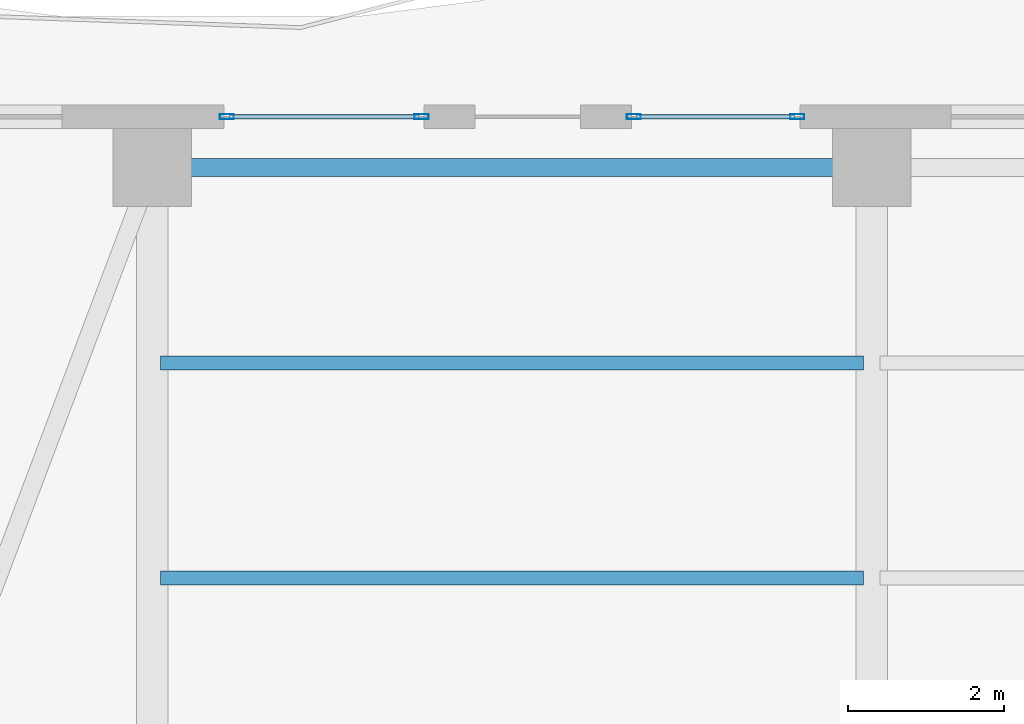
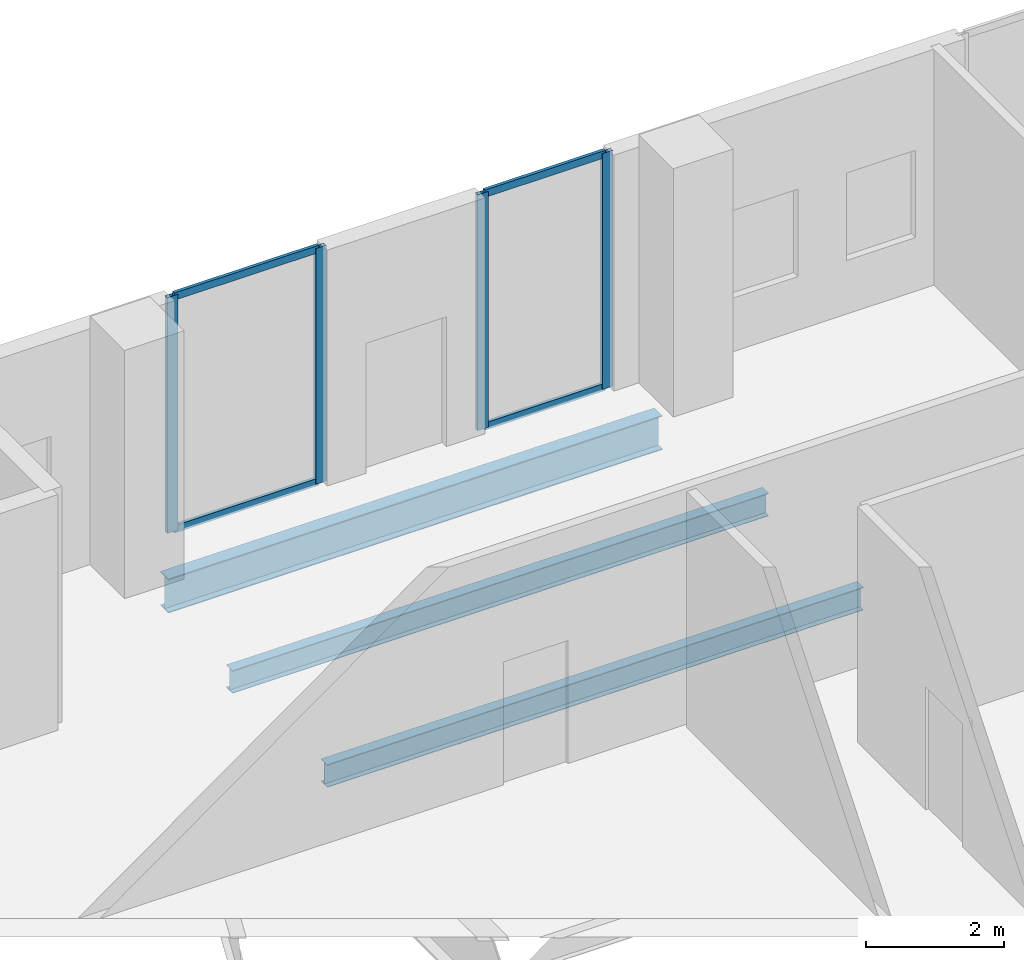
# One storey, part 12 of 23: 8 members, 3 beams, 2 elements without a shape of their own.
"""IFC4 building model written with IfcOpenShell, lengths in metres."""

from ifc_helpers import new_model, si_unit, direction, frame, origin, origin_2d, place, context, subcontext, project, spatial, hollow_rectangle, i_section, extrude, material, layer, layer_set, material_profile, profile_set, type_object, element, aggregate, save


model = new_model("IFC4")

# Units and contexts
model_context = context("Model", 3, precision=1e-05, world=origin(), true_north=direction((0.0, 1.0)))
body_context = subcontext(model_context, "Body", "Model", "MODEL_VIEW")
ifc_project = project(units=[si_unit("LENGTHUNIT", "METRE"), si_unit("AREAUNIT", "SQUARE_METRE"), si_unit("VOLUMEUNIT", "CUBIC_METRE"), si_unit("PLANEANGLEUNIT", "RADIAN"), si_unit("MASSUNIT", "GRAM", prefix="KILO")], contexts=[model_context])

# Site, building, storey
site_placement = place(None, origin())
site = spatial("IfcSite", under=ifc_project, at=site_placement, CompositionType="ELEMENT")
building_placement = place(site_placement, origin())
building = spatial("IfcBuilding", under=site, at=building_placement, Name="Zuhayl Quay Hotel", CompositionType="ELEMENT")
storey_placement = place(building_placement, frame((0.0, 0.0, 288.449951171875)))
storey = spatial("IfcBuildingStorey", under=building, at=storey_placement, Name="L73", CompositionType="ELEMENT", Elevation=288.449951171875)

# Beams
ifc_material_1 = material(Name="Steel ASTM A992 Grade 50", Category="steel")
ifc_material_profile_1 = material_profile(ifc_material_1, i_section(OverallWidth=0.22802734375, OverallDepth=0.60693359375, WebThickness=0.01123046875, FlangeThickness=0.017333984375, at=origin_2d()), Name="W24X76")
ifc_profile_set_1 = profile_set([ifc_material_profile_1], Name="Steel ASTM A992 Grade 50")
beam_type_1 = type_object("IfcBeamType", Name="BM_B3_W24X76", PredefinedType="BEAM", material=ifc_profile_set_1)
beam_placement = place(storey_placement, frame((-5.06005859375, 38.35009765625, -0.5234375), z_axis=(-1.0, 0.0, 0.0), x_axis=(0.0, -1.0, 0.0)))
element("IfcBeam", 1, at=beam_placement, inside=storey, type_object=beam_type_1, Name="L73 Floor Beam RG_L73_09", PredefinedType="BEAM", context=body_context, shape_type="SweptSolid", body=[
    extrude(i_section(OverallWidth=0.22802734375, OverallDepth=0.60693359375, WebThickness=0.01123046875, FlangeThickness=0.017333984375, at=origin_2d()), origin(), (0.0, 0.0, 1.0), 8.280029296875),
])
ifc_material_profile_2 = material_profile(ifc_material_1, i_section(OverallWidth=0.177978515625, OverallDepth=0.404052734375, WebThickness=0.007568359375, FlangeThickness=0.010986328125, at=origin_2d()), Name="W16X36")
ifc_profile_set_2 = profile_set([ifc_material_profile_2], Name="Steel ASTM A992 Grade 50")
beam_type_2 = type_object("IfcBeamType", Name="BM_J3_W16X36", PredefinedType="JOIST", material=ifc_profile_set_2)
for number, where, z_axis, x_axis, name in (
    (2, (-13.694091796875, 33.10009765625, -0.421875), (1.0, 0.0, 0.0), (0.0, 1.0, 0.0), "L73 Floor Beam FJ_L73_7_1"),
    (3, (-13.694091796875, 35.85009765625, -0.421875), (1.0, 0.0, 0.0), (0.0, 1.0, 0.0), "L73 Floor Beam FJ_L73_8_1"),
):
    element("IfcBeam", number, at=place(storey_placement, frame(where, z_axis=z_axis, x_axis=x_axis)), inside=storey, type_object=beam_type_2, Name=name, PredefinedType="JOIST", context=body_context, shape_type="SweptSolid", body=[
        extrude(i_section(OverallWidth=0.177978515625, OverallDepth=0.404052734375, WebThickness=0.007568359375, FlangeThickness=0.010986328125, at=origin_2d()), origin(), (0.0, 0.0, 1.0), 8.988037109375),
    ])

# Curtain wall, members
ifc_material_2 = material(Name="Anodised Aluminium 6063-T6", Category="aluminium")
ifc_layer = layer(ifc_material_2, 0.169921875, Name="Anodised Aluminium 6063-T6", Category="aluminium")
ifc_layer_set = layer_set([ifc_layer], Name="Anodised Aluminium 6063-T6")
curtain_wall_type = type_object("IfcCurtainWallType", Name="CW_SYS_Z4", PredefinedType="USERDEFINED", material=ifc_layer_set)
curtain_wall_1_placement = place(storey_placement, origin())
curtain_wall_1 = element("IfcCurtainWall", 4, at=curtain_wall_1_placement, inside=storey, type_object=curtain_wall_type, Name="L73 Curtain Wall ENV_L73_N_CW1", ObjectType="UNITISED CURTAIN WALL", PredefinedType="USERDEFINED")
ifc_material_3 = material(Name="Black-anodised aluminium 6063-T6", Category="aluminium")
ifc_material_profile_3 = material_profile(ifc_material_3, hollow_rectangle(XDim=0.06494140625, YDim=0.179931640625, WallThickness=0.00341796875, at=origin_2d()), Name="ALU180X65")
ifc_profile_set_3 = profile_set([ifc_material_profile_3], Name="Black-anodised aluminium 6063-T6")
member_type_1 = type_object("IfcMemberType", Name="MB_CW_MUL_180", PredefinedType="MULLION", material=ifc_profile_set_3)
member_1_placement = place(storey_placement, frame((-12.847412109375, 39.0, 0.0), z_axis=(0.0, 0.0, 1.0), x_axis=(0.0, 1.0, 0.0)))
member_1 = element("IfcMember", 5, at=member_1_placement, type_object=member_type_1, Name="CW-Z4 mullion 1", PredefinedType="MULLION", context=body_context, shape_type="SweptSolid", body=[
    extrude(hollow_rectangle(XDim=0.06494140625, YDim=0.179931640625, WallThickness=0.00341796875, at=origin_2d()), origin(), (0.0, 0.0, 1.0), 4.179931640625),
])
member_2_placement = place(storey_placement, frame((-10.357421875, 39.0, 0.0), z_axis=(0.0, 0.0, 1.0), x_axis=(0.0, 1.0, 0.0)))
member_2 = element("IfcMember", 6, at=member_2_placement, type_object=member_type_1, Name="CW-Z4 mullion 2", PredefinedType="MULLION", context=body_context, shape_type="SweptSolid", body=[
    extrude(hollow_rectangle(XDim=0.06494140625, YDim=0.179931640625, WallThickness=0.00341796875, at=origin_2d()), origin(), (0.0, 0.0, 1.0), 4.179931640625),
])

curtain_wall_2_placement = place(storey_placement, origin())
curtain_wall_2 = element("IfcCurtainWall", 7, at=curtain_wall_2_placement, inside=storey, type_object=curtain_wall_type, Name="L73 Curtain Wall ENV_L73_N_CW2", ObjectType="UNITISED CURTAIN WALL", PredefinedType="USERDEFINED")
member_3_placement = place(storey_placement, frame((-7.642578125, 39.0, 0.0), z_axis=(0.0, 0.0, 1.0), x_axis=(0.0, 1.0, 0.0)))
member_3 = element("IfcMember", 8, at=member_3_placement, type_object=member_type_1, Name="CW-Z4 mullion 1", PredefinedType="MULLION", context=body_context, shape_type="SweptSolid", body=[
    extrude(hollow_rectangle(XDim=0.06494140625, YDim=0.179931640625, WallThickness=0.00341796875, at=origin_2d()), origin(), (0.0, 0.0, 1.0), 4.179931640625),
])
member_4_placement = place(storey_placement, frame((-5.552490234375, 39.0, 0.0), z_axis=(0.0, 0.0, 1.0), x_axis=(0.0, 1.0, 0.0)))
member_4 = element("IfcMember", 9, at=member_4_placement, type_object=member_type_1, Name="CW-Z4 mullion 2", PredefinedType="MULLION", context=body_context, shape_type="SweptSolid", body=[
    extrude(hollow_rectangle(XDim=0.06494140625, YDim=0.179931640625, WallThickness=0.00341796875, at=origin_2d()), origin(), (0.0, 0.0, 1.0), 4.179931640625),
])

# Member
ifc_material_profile_4 = material_profile(ifc_material_3, hollow_rectangle(XDim=0.054931640625, YDim=0.1298828125, WallThickness=0.0029296875, at=origin_2d()), Name="ALU130X55")
ifc_profile_set_4 = profile_set([ifc_material_profile_4], Name="Black-anodised aluminium 6063-T6")
member_type_2 = type_object("IfcMemberType", Name="MB_CW_TRN_130", PredefinedType="USERDEFINED", material=ifc_profile_set_4)
member_5_placement = place(storey_placement, frame((-12.81494140625, 39.0, 0.027587890625), z_axis=(1.0, 0.0, 0.0), x_axis=(0.0, 1.0, 0.0)))
member_5 = element("IfcMember", 10, at=member_5_placement, type_object=member_type_2, Name="CW-Z4 transom 1.1", ObjectType="TRANSOM", PredefinedType="USERDEFINED", context=body_context, shape_type="SweptSolid", body=[
    extrude(hollow_rectangle(XDim=0.054931640625, YDim=0.1298828125, WallThickness=0.0029296875, at=origin_2d()), origin(), (0.0, 0.0, 1.0), 2.425048828125),
])

member_6_placement = place(storey_placement, frame((-12.81494140625, 39.0, 4.152587890625), z_axis=(1.0, 0.0, 0.0), x_axis=(0.0, 1.0, 0.0)))
member_6 = element("IfcMember", 11, at=member_6_placement, type_object=member_type_2, Name="CW-Z4 transom 1.2", ObjectType="TRANSOM", PredefinedType="USERDEFINED", context=body_context, shape_type="SweptSolid", body=[
    extrude(hollow_rectangle(XDim=0.054931640625, YDim=0.1298828125, WallThickness=0.0029296875, at=origin_2d()), origin(), (0.0, 0.0, 1.0), 2.425048828125),
])

aggregate(curtain_wall_1, [member_1, member_2, member_5, member_6])

member_7_placement = place(storey_placement, frame((-7.610107421875, 39.0, 0.027587890625), z_axis=(1.0, 0.0, 0.0), x_axis=(0.0, 1.0, 0.0)))
member_7 = element("IfcMember", 12, at=member_7_placement, type_object=member_type_2, Name="CW-Z4 transom 1.1", ObjectType="TRANSOM", PredefinedType="USERDEFINED", context=body_context, shape_type="SweptSolid", body=[
    extrude(hollow_rectangle(XDim=0.054931640625, YDim=0.1298828125, WallThickness=0.0029296875, at=origin_2d()), origin(), (0.0, 0.0, 1.0), 2.025146484375),
])

member_8_placement = place(storey_placement, frame((-7.610107421875, 39.0, 4.152587890625), z_axis=(1.0, 0.0, 0.0), x_axis=(0.0, 1.0, 0.0)))
member_8 = element("IfcMember", 13, at=member_8_placement, type_object=member_type_2, Name="CW-Z4 transom 1.2", ObjectType="TRANSOM", PredefinedType="USERDEFINED", context=body_context, shape_type="SweptSolid", body=[
    extrude(hollow_rectangle(XDim=0.054931640625, YDim=0.1298828125, WallThickness=0.0029296875, at=origin_2d()), origin(), (0.0, 0.0, 1.0), 2.025146484375),
])

aggregate(curtain_wall_2, [member_3, member_4, member_7, member_8])

save(model, "model.ifc")
